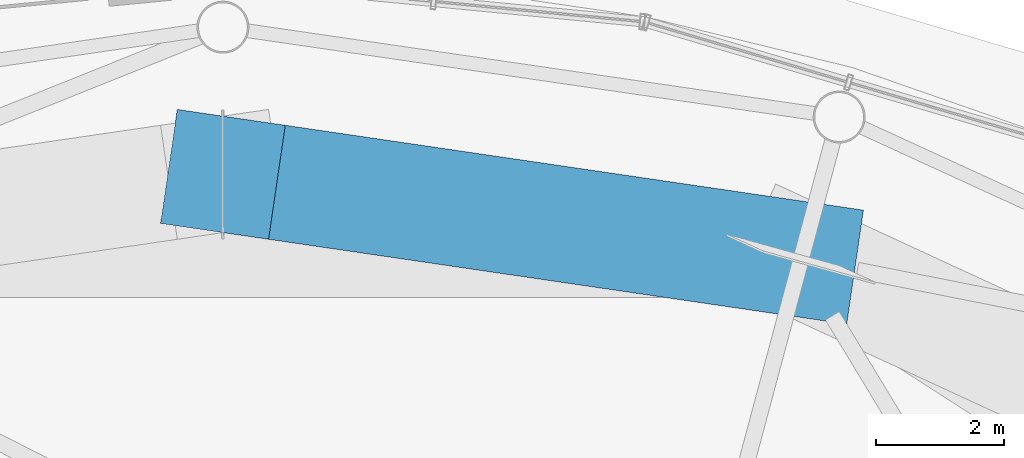
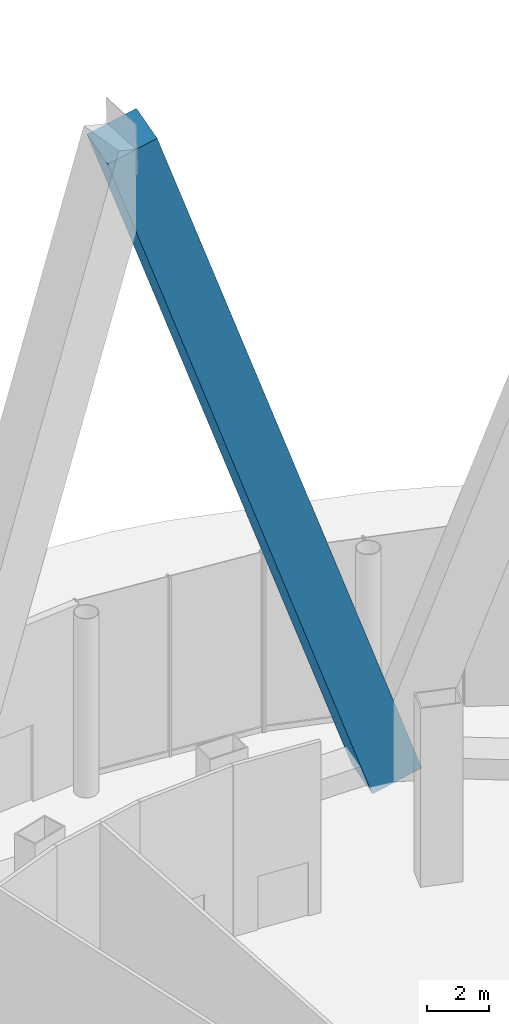
# One storey, part 52 of 67: 1 member.
"""IFC4 building model written with IfcOpenShell, lengths in metres."""

from ifc_helpers import new_model, si_unit, direction, frame, origin, origin_2d, place, context, subcontext, project, spatial, rectangle, extrude, material, material_profile, profile_set, type_object, element, save


model = new_model("IFC4")

# Units and contexts
model_context = context("Model", 3, precision=1e-05, world=origin(), true_north=direction((0.0, 1.0)))
body_context = subcontext(model_context, "Body", "Model", "MODEL_VIEW")
ifc_project = project(units=[si_unit("LENGTHUNIT", "METRE"), si_unit("AREAUNIT", "SQUARE_METRE"), si_unit("VOLUMEUNIT", "CUBIC_METRE"), si_unit("PLANEANGLEUNIT", "RADIAN"), si_unit("MASSUNIT", "GRAM", prefix="KILO")], contexts=[model_context])

# Site, building, storey
site_placement = place(None, origin())
site = spatial("IfcSite", under=ifc_project, at=site_placement, CompositionType="ELEMENT")
building_placement = place(site_placement, origin())
building = spatial("IfcBuilding", under=site, at=building_placement, Name="Nagisa Residences", CompositionType="ELEMENT")
storey_placement = place(building_placement, origin())
storey = spatial("IfcBuildingStorey", under=building, at=storey_placement, Name="L00", CompositionType="ELEMENT", Elevation=0.0)

# Member
ifc_material = material(Name="Concrete C80", Category="concrete")
ifc_material_profile = material_profile(ifc_material, rectangle(XDim=1.800048828125, YDim=1.800048828125, at=origin_2d()), Name="C80 1800x1800")
ifc_profile_set = profile_set([ifc_material_profile], Name="Concrete C80")
member_type = type_object("IfcMemberType", Name="Cage diagonal 1 C80 1800x1800", PredefinedType="BRACE", material=ifc_profile_set)
member_placement = place(storey_placement, frame((12.6328125, 37.574462890625, 0.0), z_axis=(-0.316918493303, 0.046503878592, 0.947312017172), x_axis=(-0.145182950526, -0.989404826589, 0.0)))
element("IfcMember", 1, at=member_placement, inside=storey, type_object=member_type, Name="mem:L00:cg1d006", PredefinedType="BRACE", context=body_context, shape_type="SweptSolid", body=[
    extrude(rectangle(XDim=1.800048828125, YDim=1.800048828125, at=origin_2d()), origin(), (0.0, 0.0, 1.0), 28.501708984375),
])

save(model, "model.ifc")
